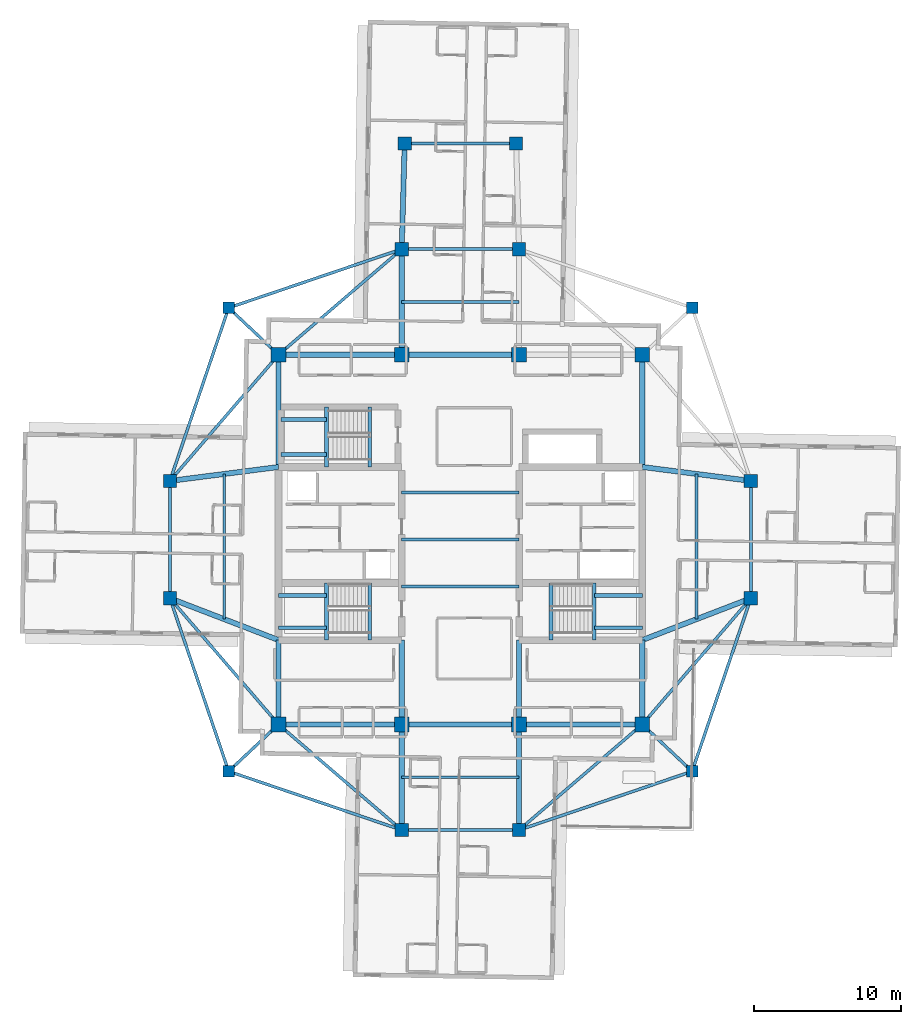
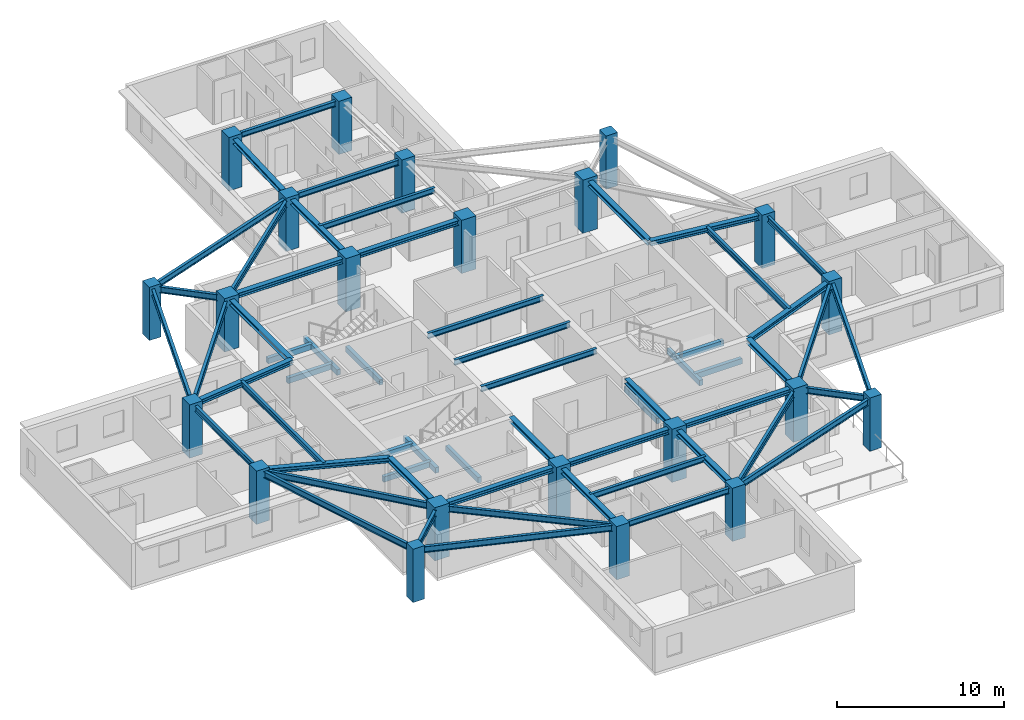
# One storey, part 1 of 13: 58 beams, 22 columns.
"""IFC4 building model written with IfcOpenShell, lengths in metres."""

from ifc_helpers import new_model, si_unit, direction, frame, origin, origin_2d, place, context, subcontext, project, spatial, rectangle, i_section, extrude, material, material_profile, profile_set, type_object, element, save


model = new_model("IFC4")

# Units and contexts
model_context = context("Model", 3, precision=1e-05, world=origin(), true_north=direction((0.0, 1.0)))
body_context = subcontext(model_context, "Body", "Model", "MODEL_VIEW")
ifc_project = project(units=[si_unit("LENGTHUNIT", "METRE"), si_unit("AREAUNIT", "SQUARE_METRE"), si_unit("VOLUMEUNIT", "CUBIC_METRE"), si_unit("PLANEANGLEUNIT", "RADIAN"), si_unit("MASSUNIT", "GRAM", prefix="KILO")], contexts=[model_context])

# Site, building, storey
site_placement = place(None, origin())
site = spatial("IfcSite", under=ifc_project, at=site_placement, CompositionType="ELEMENT")
building_placement = place(site_placement, origin())
building = spatial("IfcBuilding", under=site, at=building_placement, Name="Qingluan Cross Belvedere", CompositionType="ELEMENT")
storey_placement = place(building_placement, frame((0.0, 0.0, 228.60009765625)))
storey = spatial("IfcBuildingStorey", under=building, at=storey_placement, Name="L57", CompositionType="ELEMENT", Elevation=228.60009765625)

# Columns
ifc_material_1 = material(Name="Concrete C50", Category="concrete")
ifc_material_profile_1 = material_profile(ifc_material_1, rectangle(XDim=1.0, YDim=1.0, at=origin_2d()), Name="RC1000x1000")
ifc_profile_set_1 = profile_set([ifc_material_profile_1], Name="Concrete C50")
column_type_1 = type_object("IfcColumnType", Name="Column_RC1000x1000", PredefinedType="COLUMN", material=ifc_profile_set_1)
for number, where, z_axis, x_axis, name in (
    (1, (-12.39990234375, -12.60009765625, 0.0), (0.0, 0.0, 1.0), (1.0, 0.0, 0.0), "Hub column L57-HC1"),
    (2, (12.39990234375, -12.60009765625, 0.0), (0.0, 0.0, 1.0), (1.0, 0.0, 0.0), "Hub column L57-HC2"),
    (3, (12.39990234375, 12.60009765625, 0.0), (0.0, 0.0, 1.0), (1.0, 0.0, 0.0), "Hub column L57-HC3"),
    (4, (-12.39990234375, 12.60009765625, 0.0), (0.0, 0.0, 1.0), (1.0, 0.0, 0.0), "Hub column L57-HC4"),
    (5, (-4.0, -12.60009765625, 0.0), (0.0, 0.0, 1.0), (1.0, 0.0, 0.0), "Hub column L57-HC5"),
    (6, (4.0, -12.60009765625, 0.0), (0.0, 0.0, 1.0), (1.0, 0.0, 0.0), "Hub column L57-HC6"),
    (7, (4.0, 12.60009765625, 0.0), (0.0, 0.0, 1.0), (1.0, 0.0, 0.0), "Hub column L57-HC7"),
    (8, (-4.0, 12.60009765625, 0.0), (0.0, 0.0, 1.0), (1.0, 0.0, 0.0), "Hub column L57-HC8"),
):
    element("IfcColumn", number, at=place(storey_placement, frame(where, z_axis=z_axis, x_axis=x_axis)), inside=storey, type_object=column_type_1, Name=name, PredefinedType="COLUMN", context=body_context, shape_type="SweptSolid", body=[
        extrude(rectangle(XDim=1.0, YDim=1.0, at=origin_2d()), origin(), (0.0, 0.0, 1.0), 3.89990234375),
    ])
ifc_material_2 = material(Name="Concrete C50", Category="concrete")
ifc_material_profile_2 = material_profile(ifc_material_2, rectangle(XDim=0.800048828125, YDim=0.800048828125, at=origin_2d()), Name="RC800x800")
ifc_profile_set_2 = profile_set([ifc_material_profile_2], Name="Concrete C50")
column_type_2 = type_object("IfcColumnType", Name="Column_RC800x800", PredefinedType="COLUMN", material=ifc_profile_set_2)
for number, where, z_axis, x_axis, name in (
    (9, (15.800048828125, 15.800048828125, 0.0), (0.0, 0.0, 1.0), (1.0, 0.0, 0.0), "Corner column L57-RNE"),
    (10, (-15.800048828125, 15.800048828125, 0.0), (0.0, 0.0, 1.0), (1.0, 0.0, 0.0), "Corner column L57-RNW"),
    (11, (-15.800048828125, -15.800048828125, 0.0), (0.0, 0.0, 1.0), (1.0, 0.0, 0.0), "Corner column L57-RSW"),
    (12, (15.800048828125, -15.800048828125, 0.0), (0.0, 0.0, 1.0), (1.0, 0.0, 0.0), "Corner column L57-RSE"),
):
    element("IfcColumn", number, at=place(storey_placement, frame(where, z_axis=z_axis, x_axis=x_axis)), inside=storey, type_object=column_type_2, Name=name, PredefinedType="COLUMN", context=body_context, shape_type="SweptSolid", body=[
        extrude(rectangle(XDim=0.800048828125, YDim=0.800048828125, at=origin_2d()), origin(), (0.0, 0.0, 1.0), 3.89990234375),
    ])
ifc_material_3 = material(Name="Concrete C50", Category="concrete")
ifc_material_profile_3 = material_profile(ifc_material_3, rectangle(XDim=0.89990234375, YDim=0.89990234375, at=origin_2d()), Name="RC900x900")
ifc_profile_set_3 = profile_set([ifc_material_profile_3], Name="Concrete C50")
column_type_3 = type_object("IfcColumnType", Name="Column_RC900x900", PredefinedType="COLUMN", material=ifc_profile_set_3)
for number, where, z_axis, x_axis, name in (
    (13, (19.800048828125, -4.0, 0.0), (0.0, 0.0, 1.0), (1.0, 0.0, 0.0), "Arm column L57-EIA"),
    (14, (19.800048828125, 4.0, 0.0), (0.0, 0.0, 1.0), (1.0, 0.0, 0.0), "Arm column L57-EIB"),
    (15, (-19.800048828125, -4.0, 0.0), (0.0, 0.0, 1.0), (1.0, 0.0, 0.0), "Arm column L57-WIA"),
    (16, (-19.800048828125, 4.0, 0.0), (0.0, 0.0, 1.0), (1.0, 0.0, 0.0), "Arm column L57-WIB"),
    (17, (-4.0, -19.800048828125, 0.0), (0.0, 0.0, 1.0), (1.0, 0.0, 0.0), "Arm column L57-SIA"),
    (18, (4.0, -19.800048828125, 0.0), (0.0, 0.0, 1.0), (1.0, 0.0, 0.0), "Arm column L57-SIB"),
    (19, (-4.0, 19.800048828125, 0.0), (0.0, 0.0, 1.0), (1.0, 0.0, 0.0), "Arm column L57-NIA"),
    (20, (4.0, 19.800048828125, 0.0), (0.0, 0.0, 1.0), (1.0, 0.0, 0.0), "Arm column L57-NIB"),
    (21, (-3.800048828125, 27.0, 0.0), (0.0, 0.0, 1.0), (1.0, 0.0, 0.0), "Arm column L57-NOA"),
    (22, (3.800048828125, 27.0, 0.0), (0.0, 0.0, 1.0), (1.0, 0.0, 0.0), "Arm column L57-NOB"),
):
    element("IfcColumn", number, at=place(storey_placement, frame(where, z_axis=z_axis, x_axis=x_axis)), inside=storey, type_object=column_type_3, Name=name, PredefinedType="COLUMN", context=body_context, shape_type="SweptSolid", body=[
        extrude(rectangle(XDim=0.89990234375, YDim=0.89990234375, at=origin_2d()), origin(), (0.0, 0.0, 1.0), 3.89990234375),
    ])

# Beams
ifc_material_4 = material(Name="Concrete C45", Category="concrete")
ifc_material_profile_4 = material_profile(ifc_material_4, rectangle(XDim=0.25, YDim=0.39990234375, at=origin_2d()), Name="RC250x400")
ifc_profile_set_4 = profile_set([ifc_material_profile_4], Name="Concrete C45")
beam_type_1 = type_object("IfcBeamType", Name="RC_Lintel_RC250x400", PredefinedType="LINTEL", material=ifc_profile_set_4)
for number, where, z_axis, x_axis, name in (
    (23, (-6.179931640625, -6.85009765625, -0.2001953125), (0.0, 1.0, 0.0), (-1.0, 0.0, 0.0), "Stair ST1 landing beam L57"),
    (24, (6.179931640625, -6.85009765625, -0.2001953125), (0.0, 1.0, 0.0), (-1.0, 0.0, 0.0), "Stair ST2 landing beam L57"),
):
    element("IfcBeam", number, at=place(storey_placement, frame(where, z_axis=z_axis, x_axis=x_axis)), inside=storey, type_object=beam_type_1, Name=name, PredefinedType="LINTEL", context=body_context, shape_type="SweptSolid", body=[
        extrude(rectangle(XDim=0.25, YDim=0.39990234375, at=origin_2d()), origin(), (0.0, 0.0, 1.0), 3.89013671875),
    ])
beam_1_placement = place(storey_placement, frame((-6.179931640625, 4.949951171875, -0.2001953125), z_axis=(0.0, 1.0, 0.0), x_axis=(-1.0, 0.0, 0.0)))
element("IfcBeam", 25, at=beam_1_placement, inside=storey, type_object=beam_type_1, Name="Stair ST3 landing beam L57", PredefinedType="LINTEL", context=body_context, shape_type="SweptSolid", body=[
    extrude(rectangle(XDim=0.25, YDim=0.39990234375, at=origin_2d()), origin(), (0.0, 0.0, 1.0), 4.090087890625),
])
beam_2_placement = place(storey_placement, frame((-9.1298828125, -6.85009765625, 1.5498046875), z_axis=(0.0, 1.0, 0.0), x_axis=(-1.0, 0.0, 0.0)))
element("IfcBeam", 26, at=beam_2_placement, inside=storey, type_object=beam_type_1, Name="Stair ST1 beam A L57", PredefinedType="LINTEL", context=body_context, shape_type="SweptSolid", body=[
    extrude(rectangle(XDim=0.25, YDim=0.39990234375, at=origin_2d()), origin(), (0.0, 0.0, 1.0), 3.89013671875),
])
for number, where, z_axis, x_axis, name in (
    (27, (-12.39990234375, -6.0, 1.5498046875), (1.0, 0.0, 0.0), (0.0, 1.0, 0.0), "Stair ST1 beam B L57"),
    (28, (-12.39990234375, -3.81005859375, 1.5498046875), (1.0, 0.0, 0.0), (0.0, 1.0, 0.0), "Stair ST1 beam C L57"),
):
    element("IfcBeam", number, at=place(storey_placement, frame(where, z_axis=z_axis, x_axis=x_axis)), inside=storey, type_object=beam_type_1, Name=name, PredefinedType="LINTEL", context=body_context, shape_type="SweptSolid", body=[
        extrude(rectangle(XDim=0.25, YDim=0.39990234375, at=origin_2d()), origin(), (0.0, 0.0, 1.0), 3.27001953125),
    ])
beam_3_placement = place(storey_placement, frame((9.1298828125, -6.85009765625, 1.5498046875), z_axis=(0.0, 1.0, 0.0), x_axis=(-1.0, 0.0, 0.0)))
element("IfcBeam", 29, at=beam_3_placement, inside=storey, type_object=beam_type_1, Name="Stair ST2 beam A L57", PredefinedType="LINTEL", context=body_context, shape_type="SweptSolid", body=[
    extrude(rectangle(XDim=0.25, YDim=0.39990234375, at=origin_2d()), origin(), (0.0, 0.0, 1.0), 3.89013671875),
])
for number, where, z_axis, x_axis, name in (
    (30, (12.39990234375, -6.0, 1.5498046875), (-1.0, 0.0, 0.0), (0.0, -1.0, 0.0), "Stair ST2 beam B L57"),
    (31, (12.39990234375, -3.81005859375, 1.5498046875), (-1.0, 0.0, 0.0), (0.0, -1.0, 0.0), "Stair ST2 beam C L57"),
):
    element("IfcBeam", number, at=place(storey_placement, frame(where, z_axis=z_axis, x_axis=x_axis)), inside=storey, type_object=beam_type_1, Name=name, PredefinedType="LINTEL", context=body_context, shape_type="SweptSolid", body=[
        extrude(rectangle(XDim=0.25, YDim=0.39990234375, at=origin_2d()), origin(), (0.0, 0.0, 1.0), 3.27001953125),
    ])
beam_4_placement = place(storey_placement, frame((-9.1298828125, 4.949951171875, 1.5498046875), z_axis=(0.0, 1.0, 0.0), x_axis=(-1.0, 0.0, 0.0)))
element("IfcBeam", 32, at=beam_4_placement, inside=storey, type_object=beam_type_1, Name="Stair ST3 beam A L57", PredefinedType="LINTEL", context=body_context, shape_type="SweptSolid", body=[
    extrude(rectangle(XDim=0.25, YDim=0.39990234375, at=origin_2d()), origin(), (0.0, 0.0, 1.0), 4.090087890625),
])
for number, where, z_axis, x_axis, name in (
    (33, (-12.219970703125, 5.800048828125, 1.5498046875), (1.0, 0.0, 0.0), (0.0, 1.0, 0.0), "Stair ST3 beam B L57"),
    (34, (-12.219970703125, 8.18994140625, 1.5498046875), (1.0, 0.0, 0.0), (0.0, 1.0, 0.0), "Stair ST3 beam C L57"),
):
    element("IfcBeam", number, at=place(storey_placement, frame(where, z_axis=z_axis, x_axis=x_axis)), inside=storey, type_object=beam_type_1, Name=name, PredefinedType="LINTEL", context=body_context, shape_type="SweptSolid", body=[
        extrude(rectangle(XDim=0.25, YDim=0.39990234375, at=origin_2d()), origin(), (0.0, 0.0, 1.0), 3.090087890625),
    ])
ifc_material_5 = material(Name="Steel Q420GJB", Category="steel")
ifc_material_profile_5 = material_profile(ifc_material_5, i_section(OverallWidth=0.199951171875, OverallDepth=0.39990234375, WebThickness=0.008056640625, FlangeThickness=0.012939453125, FilletRadius=0.012939453125, at=origin_2d()), Name="HN400x200x8x13")
ifc_profile_set_5 = profile_set([ifc_material_profile_5], Name="Steel Q420GJB")
beam_type_2 = type_object("IfcBeamType", Name="Steel_Beam_HN400x200x8x13", PredefinedType="JOIST", material=ifc_profile_set_5)
for number, where, z_axis, x_axis, name in (
    (35, (-4.0, -3.199951171875, 3.5), (1.0, 0.0, 0.0), (0.0, 1.0, 0.0), "Hall beam L57-CH1"),
    (36, (-4.0, 0.0, 3.5), (1.0, 0.0, 0.0), (0.0, 1.0, 0.0), "Hall beam L57-CH2"),
    (37, (-4.0, 3.199951171875, 3.5), (1.0, 0.0, 0.0), (0.0, 1.0, 0.0), "Hall beam L57-CH3"),
    (38, (19.800048828125, -4.0, 3.5), (0.0, 1.0, 0.0), (-1.0, 0.0, 0.0), "Arm E tie L57"),
):
    element("IfcBeam", number, at=place(storey_placement, frame(where, z_axis=z_axis, x_axis=x_axis)), inside=storey, type_object=beam_type_2, Name=name, PredefinedType="JOIST", context=body_context, shape_type="SweptSolid", body=[
        extrude(i_section(OverallWidth=0.199951171875, OverallDepth=0.39990234375, WebThickness=0.008056640625, FlangeThickness=0.012939453125, FilletRadius=0.012939453125, at=origin_2d()), origin(), (0.0, 0.0, 1.0), 8.0),
    ])
beam_5_placement = place(storey_placement, frame((16.10009765625, -5.425048828125, 3.5), z_axis=(0.0, 1.0, 0.0), x_axis=(-1.0, 0.0, 0.0)))
element("IfcBeam", 39, at=beam_5_placement, inside=storey, type_object=beam_type_2, Name="Arm E beam L57", PredefinedType="JOIST", context=body_context, shape_type="SweptSolid", body=[
    extrude(i_section(OverallWidth=0.199951171875, OverallDepth=0.39990234375, WebThickness=0.008056640625, FlangeThickness=0.012939453125, FilletRadius=0.012939453125, at=origin_2d()), origin(), (0.0, 0.0, 1.0), 9.900146484375),
])
beam_6_placement = place(storey_placement, frame((-19.800048828125, -4.0, 3.5), z_axis=(0.0, 1.0, 0.0), x_axis=(-1.0, 0.0, 0.0)))
element("IfcBeam", 40, at=beam_6_placement, inside=storey, type_object=beam_type_2, Name="Arm W tie L57", PredefinedType="JOIST", context=body_context, shape_type="SweptSolid", body=[
    extrude(i_section(OverallWidth=0.199951171875, OverallDepth=0.39990234375, WebThickness=0.008056640625, FlangeThickness=0.012939453125, FilletRadius=0.012939453125, at=origin_2d()), origin(), (0.0, 0.0, 1.0), 8.0),
])
beam_7_placement = place(storey_placement, frame((-16.10009765625, -5.425048828125, 3.5), z_axis=(0.0, 1.0, 0.0), x_axis=(-1.0, 0.0, 0.0)))
element("IfcBeam", 41, at=beam_7_placement, inside=storey, type_object=beam_type_2, Name="Arm W beam L57", PredefinedType="JOIST", context=body_context, shape_type="SweptSolid", body=[
    extrude(i_section(OverallWidth=0.199951171875, OverallDepth=0.39990234375, WebThickness=0.008056640625, FlangeThickness=0.012939453125, FilletRadius=0.012939453125, at=origin_2d()), origin(), (0.0, 0.0, 1.0), 9.900146484375),
])
for number, where, z_axis, x_axis, name in (
    (42, (-4.0, 19.800048828125, 3.5), (1.0, 0.0, 0.0), (0.0, 1.0, 0.0), "Arm N tie L57"),
    (43, (-4.0, 16.199951171875, 3.5), (1.0, 0.0, 0.0), (0.0, 1.0, 0.0), "Arm N beam L57"),
):
    element("IfcBeam", number, at=place(storey_placement, frame(where, z_axis=z_axis, x_axis=x_axis)), inside=storey, type_object=beam_type_2, Name=name, PredefinedType="JOIST", context=body_context, shape_type="SweptSolid", body=[
        extrude(i_section(OverallWidth=0.199951171875, OverallDepth=0.39990234375, WebThickness=0.008056640625, FlangeThickness=0.012939453125, FilletRadius=0.012939453125, at=origin_2d()), origin(), (0.0, 0.0, 1.0), 8.0),
    ])
beam_8_placement = place(storey_placement, frame((-3.800048828125, 27.0, 3.5), z_axis=(1.0, 0.0, 0.0), x_axis=(0.0, 1.0, 0.0)))
element("IfcBeam", 44, at=beam_8_placement, inside=storey, type_object=beam_type_2, Name="Arm N tip transverse beam L57", PredefinedType="JOIST", context=body_context, shape_type="SweptSolid", body=[
    extrude(i_section(OverallWidth=0.199951171875, OverallDepth=0.39990234375, WebThickness=0.008056640625, FlangeThickness=0.012939453125, FilletRadius=0.012939453125, at=origin_2d()), origin(), (0.0, 0.0, 1.0), 7.60009765625),
])
for number, where, z_axis, x_axis, name in (
    (45, (-4.0, -19.800048828125, 3.5), (1.0, 0.0, 0.0), (0.0, 1.0, 0.0), "Arm S tie L57"),
    (46, (-4.0, -16.199951171875, 3.5), (1.0, 0.0, 0.0), (0.0, 1.0, 0.0), "Arm S beam L57"),
):
    element("IfcBeam", number, at=place(storey_placement, frame(where, z_axis=z_axis, x_axis=x_axis)), inside=storey, type_object=beam_type_2, Name=name, PredefinedType="JOIST", context=body_context, shape_type="SweptSolid", body=[
        extrude(i_section(OverallWidth=0.199951171875, OverallDepth=0.39990234375, WebThickness=0.008056640625, FlangeThickness=0.012939453125, FilletRadius=0.012939453125, at=origin_2d()), origin(), (0.0, 0.0, 1.0), 8.0),
    ])
ifc_material_6 = material(Name="Steel Q420GJB", Category="steel")
ifc_material_profile_6 = material_profile(ifc_material_6, i_section(OverallWidth=0.199951171875, OverallDepth=0.449951171875, WebThickness=0.009033203125, FlangeThickness=0.013916015625, FilletRadius=0.01611328125, at=origin_2d()), Name="HN450x200x9x14")
ifc_profile_set_6 = profile_set([ifc_material_profile_6], Name="Steel Q420GJB")
beam_type_3 = type_object("IfcBeamType", Name="Steel_Beam_HN450x200x9x14", PredefinedType="JOIST", material=ifc_profile_set_6)
beam_9_placement = place(storey_placement, frame((-12.39990234375, 12.60009765625, 3.474853515625), z_axis=(-0.728219948308, 0.685343495546, 0.0), x_axis=(-0.685343495546, -0.728219948308, 0.0)))
element("IfcBeam", 47, at=beam_9_placement, inside=storey, type_object=beam_type_3, Name="Corner beam 1 L57-RNW", PredefinedType="JOIST", context=body_context, shape_type="SweptSolid", body=[
    extrude(i_section(OverallWidth=0.199951171875, OverallDepth=0.449951171875, WebThickness=0.009033203125, FlangeThickness=0.013916015625, FilletRadius=0.01611328125, at=origin_2d()), origin(), (0.0, 0.0, 1.0), 4.669189453125),
])
for number, where, z_axis, x_axis, name in (
    (48, (-15.800048828125, 15.800048828125, 3.474853515625), (0.947066283324, 0.321038089628, 0.0), (-0.321038089628, 0.947066283324, 0.0), "Corner beam 2 L57-RNW"),
    (49, (-15.800048828125, 15.800048828125, 3.474853515625), (-0.321038089628, -0.947066283324, 0.0), (0.947066283324, -0.321038089628, 0.0), "Corner beam 3 L57-RNW"),
):
    element("IfcBeam", number, at=place(storey_placement, frame(where, z_axis=z_axis, x_axis=x_axis)), inside=storey, type_object=beam_type_3, Name=name, PredefinedType="JOIST", context=body_context, shape_type="SweptSolid", body=[
        extrude(i_section(OverallWidth=0.199951171875, OverallDepth=0.449951171875, WebThickness=0.009033203125, FlangeThickness=0.013916015625, FilletRadius=0.01611328125, at=origin_2d()), origin(), (0.0, 0.0, 1.0), 12.45947265625),
    ])
beam_10_placement = place(storey_placement, frame((-12.39990234375, 12.60009765625, 3.474853515625), z_axis=(-0.652245077546, -0.75800815221, 0.0), x_axis=(0.75800815221, -0.652245077546, 0.0)))
element("IfcBeam", 50, at=beam_10_placement, inside=storey, type_object=beam_type_3, Name="Corner beam 4 L57-RNW", PredefinedType="JOIST", context=body_context, shape_type="SweptSolid", body=[
    extrude(i_section(OverallWidth=0.199951171875, OverallDepth=0.449951171875, WebThickness=0.009033203125, FlangeThickness=0.013916015625, FilletRadius=0.01611328125, at=origin_2d()), origin(), (0.0, 0.0, 1.0), 11.345703125),
])
beam_11_placement = place(storey_placement, frame((-12.39990234375, 12.60009765625, 3.474853515625), z_axis=(0.759255044656, 0.650793190779, 0.0), x_axis=(-0.650793190779, 0.759255044656, 0.0)))
element("IfcBeam", 51, at=beam_11_placement, inside=storey, type_object=beam_type_3, Name="Corner beam 5 L57-RNW", PredefinedType="JOIST", context=body_context, shape_type="SweptSolid", body=[
    extrude(i_section(OverallWidth=0.199951171875, OverallDepth=0.449951171875, WebThickness=0.009033203125, FlangeThickness=0.013916015625, FilletRadius=0.01611328125, at=origin_2d()), origin(), (0.0, 0.0, 1.0), 11.063232421875),
])
beam_12_placement = place(storey_placement, frame((-12.39990234375, -12.60009765625, 3.474853515625), z_axis=(-0.728219948308, -0.685343495546, 0.0), x_axis=(0.685343495546, -0.728219948308, 0.0)))
element("IfcBeam", 52, at=beam_12_placement, inside=storey, type_object=beam_type_3, Name="Corner beam 1 L57-RSW", PredefinedType="JOIST", context=body_context, shape_type="SweptSolid", body=[
    extrude(i_section(OverallWidth=0.199951171875, OverallDepth=0.449951171875, WebThickness=0.009033203125, FlangeThickness=0.013916015625, FilletRadius=0.01611328125, at=origin_2d()), origin(), (0.0, 0.0, 1.0), 4.669189453125),
])
for number, where, z_axis, x_axis, name in (
    (53, (-15.800048828125, -15.800048828125, 3.474853515625), (0.947066283324, -0.321038089628, 0.0), (0.321038089628, 0.947066283324, 0.0), "Corner beam 2 L57-RSW"),
    (54, (-15.800048828125, -15.800048828125, 3.474853515625), (-0.321038089628, 0.947066283324, 0.0), (-0.947066283324, -0.321038089628, 0.0), "Corner beam 3 L57-RSW"),
):
    element("IfcBeam", number, at=place(storey_placement, frame(where, z_axis=z_axis, x_axis=x_axis)), inside=storey, type_object=beam_type_3, Name=name, PredefinedType="JOIST", context=body_context, shape_type="SweptSolid", body=[
        extrude(i_section(OverallWidth=0.199951171875, OverallDepth=0.449951171875, WebThickness=0.009033203125, FlangeThickness=0.013916015625, FilletRadius=0.01611328125, at=origin_2d()), origin(), (0.0, 0.0, 1.0), 12.45947265625),
    ])
beam_13_placement = place(storey_placement, frame((-12.39990234375, -12.60009765625, 3.474853515625), z_axis=(-0.652245077546, 0.75800815221, 0.0), x_axis=(-0.75800815221, -0.652245077546, 0.0)))
element("IfcBeam", 55, at=beam_13_placement, inside=storey, type_object=beam_type_3, Name="Corner beam 4 L57-RSW", PredefinedType="JOIST", context=body_context, shape_type="SweptSolid", body=[
    extrude(i_section(OverallWidth=0.199951171875, OverallDepth=0.449951171875, WebThickness=0.009033203125, FlangeThickness=0.013916015625, FilletRadius=0.01611328125, at=origin_2d()), origin(), (0.0, 0.0, 1.0), 11.345703125),
])
beam_14_placement = place(storey_placement, frame((-12.39990234375, -12.60009765625, 3.474853515625), z_axis=(0.759255044656, -0.650793190779, 0.0), x_axis=(0.650793190779, 0.759255044656, 0.0)))
element("IfcBeam", 56, at=beam_14_placement, inside=storey, type_object=beam_type_3, Name="Corner beam 5 L57-RSW", PredefinedType="JOIST", context=body_context, shape_type="SweptSolid", body=[
    extrude(i_section(OverallWidth=0.199951171875, OverallDepth=0.449951171875, WebThickness=0.009033203125, FlangeThickness=0.013916015625, FilletRadius=0.01611328125, at=origin_2d()), origin(), (0.0, 0.0, 1.0), 11.063232421875),
])
beam_15_placement = place(storey_placement, frame((12.39990234375, -12.60009765625, 3.474853515625), z_axis=(0.728219948308, -0.685343495546, 0.0), x_axis=(0.685343495546, 0.728219948308, 0.0)))
element("IfcBeam", 57, at=beam_15_placement, inside=storey, type_object=beam_type_3, Name="Corner beam 1 L57-RSE", PredefinedType="JOIST", context=body_context, shape_type="SweptSolid", body=[
    extrude(i_section(OverallWidth=0.199951171875, OverallDepth=0.449951171875, WebThickness=0.009033203125, FlangeThickness=0.013916015625, FilletRadius=0.01611328125, at=origin_2d()), origin(), (0.0, 0.0, 1.0), 4.669189453125),
])
for number, where, z_axis, x_axis, name in (
    (58, (15.800048828125, -15.800048828125, 3.474853515625), (-0.947066283324, -0.321038089628, 0.0), (0.321038089628, -0.947066283324, 0.0), "Corner beam 2 L57-RSE"),
    (59, (15.800048828125, -15.800048828125, 3.474853515625), (0.321038089628, 0.947066283324, 0.0), (-0.947066283324, 0.321038089628, 0.0), "Corner beam 3 L57-RSE"),
):
    element("IfcBeam", number, at=place(storey_placement, frame(where, z_axis=z_axis, x_axis=x_axis)), inside=storey, type_object=beam_type_3, Name=name, PredefinedType="JOIST", context=body_context, shape_type="SweptSolid", body=[
        extrude(i_section(OverallWidth=0.199951171875, OverallDepth=0.449951171875, WebThickness=0.009033203125, FlangeThickness=0.013916015625, FilletRadius=0.01611328125, at=origin_2d()), origin(), (0.0, 0.0, 1.0), 12.45947265625),
    ])
beam_16_placement = place(storey_placement, frame((12.39990234375, -12.60009765625, 3.474853515625), z_axis=(0.652245077546, 0.75800815221, 0.0), x_axis=(-0.75800815221, 0.652245077546, 0.0)))
element("IfcBeam", 60, at=beam_16_placement, inside=storey, type_object=beam_type_3, Name="Corner beam 4 L57-RSE", PredefinedType="JOIST", context=body_context, shape_type="SweptSolid", body=[
    extrude(i_section(OverallWidth=0.199951171875, OverallDepth=0.449951171875, WebThickness=0.009033203125, FlangeThickness=0.013916015625, FilletRadius=0.01611328125, at=origin_2d()), origin(), (0.0, 0.0, 1.0), 11.345703125),
])
beam_17_placement = place(storey_placement, frame((12.39990234375, -12.60009765625, 3.474853515625), z_axis=(-0.759255044656, -0.650793190779, 0.0), x_axis=(0.650793190779, -0.759255044656, 0.0)))
element("IfcBeam", 61, at=beam_17_placement, inside=storey, type_object=beam_type_3, Name="Corner beam 5 L57-RSE", PredefinedType="JOIST", context=body_context, shape_type="SweptSolid", body=[
    extrude(i_section(OverallWidth=0.199951171875, OverallDepth=0.449951171875, WebThickness=0.009033203125, FlangeThickness=0.013916015625, FilletRadius=0.01611328125, at=origin_2d()), origin(), (0.0, 0.0, 1.0), 11.063232421875),
])
ifc_material_7 = material(Name="Steel Q420GJB", Category="steel")
ifc_material_profile_7 = material_profile(ifc_material_7, i_section(OverallWidth=0.35009765625, OverallDepth=0.35009765625, WebThickness=0.011962890625, FlangeThickness=0.01904296875, FilletRadius=0.02001953125, at=origin_2d()), Name="HW350x350x12x19")
ifc_profile_set_7 = profile_set([ifc_material_profile_7], Name="Steel Q420GJB")
beam_type_4 = type_object("IfcBeamType", Name="Steel_Girder_HW350x350x12x19", PredefinedType="USERDEFINED", material=ifc_profile_set_7)
beam_18_placement = place(storey_placement, frame((-12.39990234375, -12.60009765625, 3.52490234375), z_axis=(1.0, 0.0, 0.0), x_axis=(0.0, 1.0, 0.0)))
element("IfcBeam", 62, at=beam_18_placement, inside=storey, type_object=beam_type_4, Name="Hub girder L57-HG-S1", ObjectType="GIRDER", PredefinedType="USERDEFINED", context=body_context, shape_type="SweptSolid", body=[
    extrude(i_section(OverallWidth=0.35009765625, OverallDepth=0.35009765625, WebThickness=0.011962890625, FlangeThickness=0.01904296875, FilletRadius=0.02001953125, at=origin_2d()), origin(), (0.0, 0.0, 1.0), 8.39990234375),
])
beam_19_placement = place(storey_placement, frame((-4.0, -12.60009765625, 3.52490234375), z_axis=(1.0, 0.0, 0.0), x_axis=(0.0, 1.0, 0.0)))
element("IfcBeam", 63, at=beam_19_placement, inside=storey, type_object=beam_type_4, Name="Hub girder L57-HG-S2", ObjectType="GIRDER", PredefinedType="USERDEFINED", context=body_context, shape_type="SweptSolid", body=[
    extrude(i_section(OverallWidth=0.35009765625, OverallDepth=0.35009765625, WebThickness=0.011962890625, FlangeThickness=0.01904296875, FilletRadius=0.02001953125, at=origin_2d()), origin(), (0.0, 0.0, 1.0), 8.0),
])
for number, where, z_axis, x_axis, name in (
    (64, (4.0, -12.60009765625, 3.52490234375), (1.0, 0.0, 0.0), (0.0, 1.0, 0.0), "Hub girder L57-HG-S3"),
    (65, (-12.39990234375, 12.60009765625, 3.52490234375), (1.0, 0.0, 0.0), (0.0, 1.0, 0.0), "Hub girder L57-HG-N1"),
):
    element("IfcBeam", number, at=place(storey_placement, frame(where, z_axis=z_axis, x_axis=x_axis)), inside=storey, type_object=beam_type_4, Name=name, ObjectType="GIRDER", PredefinedType="USERDEFINED", context=body_context, shape_type="SweptSolid", body=[
        extrude(i_section(OverallWidth=0.35009765625, OverallDepth=0.35009765625, WebThickness=0.011962890625, FlangeThickness=0.01904296875, FilletRadius=0.02001953125, at=origin_2d()), origin(), (0.0, 0.0, 1.0), 8.39990234375),
    ])
beam_20_placement = place(storey_placement, frame((-4.0, 12.60009765625, 3.52490234375), z_axis=(1.0, 0.0, 0.0), x_axis=(0.0, 1.0, 0.0)))
element("IfcBeam", 66, at=beam_20_placement, inside=storey, type_object=beam_type_4, Name="Hub girder L57-HG-N2", ObjectType="GIRDER", PredefinedType="USERDEFINED", context=body_context, shape_type="SweptSolid", body=[
    extrude(i_section(OverallWidth=0.35009765625, OverallDepth=0.35009765625, WebThickness=0.011962890625, FlangeThickness=0.01904296875, FilletRadius=0.02001953125, at=origin_2d()), origin(), (0.0, 0.0, 1.0), 8.0),
])
beam_21_placement = place(storey_placement, frame((-12.39990234375, -12.60009765625, 3.52490234375), z_axis=(0.0, 1.0, 0.0), x_axis=(-1.0, 0.0, 0.0)))
element("IfcBeam", 67, at=beam_21_placement, inside=storey, type_object=beam_type_4, Name="Hub girder L57-HG-W1", ObjectType="GIRDER", PredefinedType="USERDEFINED", context=body_context, shape_type="SweptSolid", body=[
    extrude(i_section(OverallWidth=0.35009765625, OverallDepth=0.35009765625, WebThickness=0.011962890625, FlangeThickness=0.01904296875, FilletRadius=0.02001953125, at=origin_2d()), origin(), (0.0, 0.0, 1.0), 5.75),
])
beam_22_placement = place(storey_placement, frame((-12.39990234375, 4.949951171875, 3.52490234375), z_axis=(0.0, 1.0, 0.0), x_axis=(-1.0, 0.0, 0.0)))
element("IfcBeam", 68, at=beam_22_placement, inside=storey, type_object=beam_type_4, Name="Hub girder L57-HG-W2", ObjectType="GIRDER", PredefinedType="USERDEFINED", context=body_context, shape_type="SweptSolid", body=[
    extrude(i_section(OverallWidth=0.35009765625, OverallDepth=0.35009765625, WebThickness=0.011962890625, FlangeThickness=0.01904296875, FilletRadius=0.02001953125, at=origin_2d()), origin(), (0.0, 0.0, 1.0), 7.650146484375),
])
beam_23_placement = place(storey_placement, frame((12.39990234375, -12.60009765625, 3.52490234375), z_axis=(0.0, 1.0, 0.0), x_axis=(-1.0, 0.0, 0.0)))
element("IfcBeam", 69, at=beam_23_placement, inside=storey, type_object=beam_type_4, Name="Hub girder L57-HG-E1", ObjectType="GIRDER", PredefinedType="USERDEFINED", context=body_context, shape_type="SweptSolid", body=[
    extrude(i_section(OverallWidth=0.35009765625, OverallDepth=0.35009765625, WebThickness=0.011962890625, FlangeThickness=0.01904296875, FilletRadius=0.02001953125, at=origin_2d()), origin(), (0.0, 0.0, 1.0), 5.75),
])
beam_24_placement = place(storey_placement, frame((12.39990234375, 4.949951171875, 3.52490234375), z_axis=(0.0, 1.0, 0.0), x_axis=(-1.0, 0.0, 0.0)))
element("IfcBeam", 70, at=beam_24_placement, inside=storey, type_object=beam_type_4, Name="Hub girder L57-HG-E2", ObjectType="GIRDER", PredefinedType="USERDEFINED", context=body_context, shape_type="SweptSolid", body=[
    extrude(i_section(OverallWidth=0.35009765625, OverallDepth=0.35009765625, WebThickness=0.011962890625, FlangeThickness=0.01904296875, FilletRadius=0.02001953125, at=origin_2d()), origin(), (0.0, 0.0, 1.0), 7.650146484375),
])
for number, where, z_axis, x_axis, name in (
    (71, (-4.0, -12.60009765625, 3.52490234375), (0.0, 1.0, 0.0), (-1.0, 0.0, 0.0), "Hub girder L57-HG-CW"),
    (72, (4.0, -12.60009765625, 3.52490234375), (0.0, 1.0, 0.0), (-1.0, 0.0, 0.0), "Hub girder L57-HG-CE"),
):
    element("IfcBeam", number, at=place(storey_placement, frame(where, z_axis=z_axis, x_axis=x_axis)), inside=storey, type_object=beam_type_4, Name=name, ObjectType="GIRDER", PredefinedType="USERDEFINED", context=body_context, shape_type="SweptSolid", body=[
        extrude(i_section(OverallWidth=0.35009765625, OverallDepth=0.35009765625, WebThickness=0.011962890625, FlangeThickness=0.01904296875, FilletRadius=0.02001953125, at=origin_2d()), origin(), (0.0, 0.0, 1.0), 5.75),
    ])
beam_25_placement = place(storey_placement, frame((12.39990234375, -6.85009765625, 3.52490234375), z_axis=(0.933181258889, 0.359406090735, 0.0), x_axis=(-0.359406090735, 0.933181258889, 0.0)))
element("IfcBeam", 73, at=beam_25_placement, inside=storey, type_object=beam_type_4, Name="Arm E radial girder A L57", ObjectType="GIRDER", PredefinedType="USERDEFINED", context=body_context, shape_type="SweptSolid", body=[
    extrude(i_section(OverallWidth=0.35009765625, OverallDepth=0.35009765625, WebThickness=0.011962890625, FlangeThickness=0.01904296875, FilletRadius=0.02001953125, at=origin_2d()), origin(), (0.0, 0.0, 1.0), 7.929931640625),
])
beam_26_placement = place(storey_placement, frame((12.39990234375, 4.949951171875, 3.52490234375), z_axis=(0.991861120628, -0.12732445714, 0.0), x_axis=(0.12732445714, 0.991861120628, 0.0)))
element("IfcBeam", 74, at=beam_26_placement, inside=storey, type_object=beam_type_4, Name="Arm E radial girder B L57", ObjectType="GIRDER", PredefinedType="USERDEFINED", context=body_context, shape_type="SweptSolid", body=[
    extrude(i_section(OverallWidth=0.35009765625, OverallDepth=0.35009765625, WebThickness=0.011962890625, FlangeThickness=0.01904296875, FilletRadius=0.02001953125, at=origin_2d()), origin(), (0.0, 0.0, 1.0), 7.4609375),
])
beam_27_placement = place(storey_placement, frame((-12.39990234375, -6.85009765625, 3.52490234375), z_axis=(-0.933181258889, 0.359406090735, 0.0), x_axis=(-0.359406090735, -0.933181258889, 0.0)))
element("IfcBeam", 75, at=beam_27_placement, inside=storey, type_object=beam_type_4, Name="Arm W radial girder A L57", ObjectType="GIRDER", PredefinedType="USERDEFINED", context=body_context, shape_type="SweptSolid", body=[
    extrude(i_section(OverallWidth=0.35009765625, OverallDepth=0.35009765625, WebThickness=0.011962890625, FlangeThickness=0.01904296875, FilletRadius=0.02001953125, at=origin_2d()), origin(), (0.0, 0.0, 1.0), 7.929931640625),
])
beam_28_placement = place(storey_placement, frame((-12.39990234375, 4.949951171875, 3.52490234375), z_axis=(-0.991861120628, -0.12732445714, 0.0), x_axis=(0.12732445714, -0.991861120628, 0.0)))
element("IfcBeam", 76, at=beam_28_placement, inside=storey, type_object=beam_type_4, Name="Arm W radial girder B L57", ObjectType="GIRDER", PredefinedType="USERDEFINED", context=body_context, shape_type="SweptSolid", body=[
    extrude(i_section(OverallWidth=0.35009765625, OverallDepth=0.35009765625, WebThickness=0.011962890625, FlangeThickness=0.01904296875, FilletRadius=0.02001953125, at=origin_2d()), origin(), (0.0, 0.0, 1.0), 7.4609375),
])
beam_29_placement = place(storey_placement, frame((-4.0, 12.60009765625, 3.52490234375), z_axis=(0.0, 1.0, 0.0), x_axis=(-1.0, 0.0, 0.0)))
element("IfcBeam", 77, at=beam_29_placement, inside=storey, type_object=beam_type_4, Name="Arm N radial girder A L57", ObjectType="GIRDER", PredefinedType="USERDEFINED", context=body_context, shape_type="SweptSolid", body=[
    extrude(i_section(OverallWidth=0.35009765625, OverallDepth=0.35009765625, WebThickness=0.011962890625, FlangeThickness=0.01904296875, FilletRadius=0.02001953125, at=origin_2d()), origin(), (0.0, 0.0, 1.0), 7.199951171875),
])
beam_30_placement = place(storey_placement, frame((-4.0, 19.800048828125, 3.52490234375), z_axis=(0.027760481514, 0.999614603568, 0.0), x_axis=(-0.999614603568, 0.027760481514, 0.0)))
element("IfcBeam", 78, at=beam_30_placement, inside=storey, type_object=beam_type_4, Name="Arm N outer radial girder A L57", ObjectType="GIRDER", PredefinedType="USERDEFINED", context=body_context, shape_type="SweptSolid", body=[
    extrude(i_section(OverallWidth=0.35009765625, OverallDepth=0.35009765625, WebThickness=0.011962890625, FlangeThickness=0.01904296875, FilletRadius=0.02001953125, at=origin_2d()), origin(), (0.0, 0.0, 1.0), 7.20263671875),
])
for number, where, z_axis, x_axis, name in (
    (79, (-4.0, -12.60009765625, 3.52490234375), (0.0, -1.0, 0.0), (1.0, 0.0, 0.0), "Arm S radial girder A L57"),
    (80, (4.0, -12.60009765625, 3.52490234375), (0.0, -1.0, 0.0), (1.0, 0.0, 0.0), "Arm S radial girder B L57"),
):
    element("IfcBeam", number, at=place(storey_placement, frame(where, z_axis=z_axis, x_axis=x_axis)), inside=storey, type_object=beam_type_4, Name=name, ObjectType="GIRDER", PredefinedType="USERDEFINED", context=body_context, shape_type="SweptSolid", body=[
        extrude(i_section(OverallWidth=0.35009765625, OverallDepth=0.35009765625, WebThickness=0.011962890625, FlangeThickness=0.01904296875, FilletRadius=0.02001953125, at=origin_2d()), origin(), (0.0, 0.0, 1.0), 7.199951171875),
    ])

save(model, "model.ifc")
